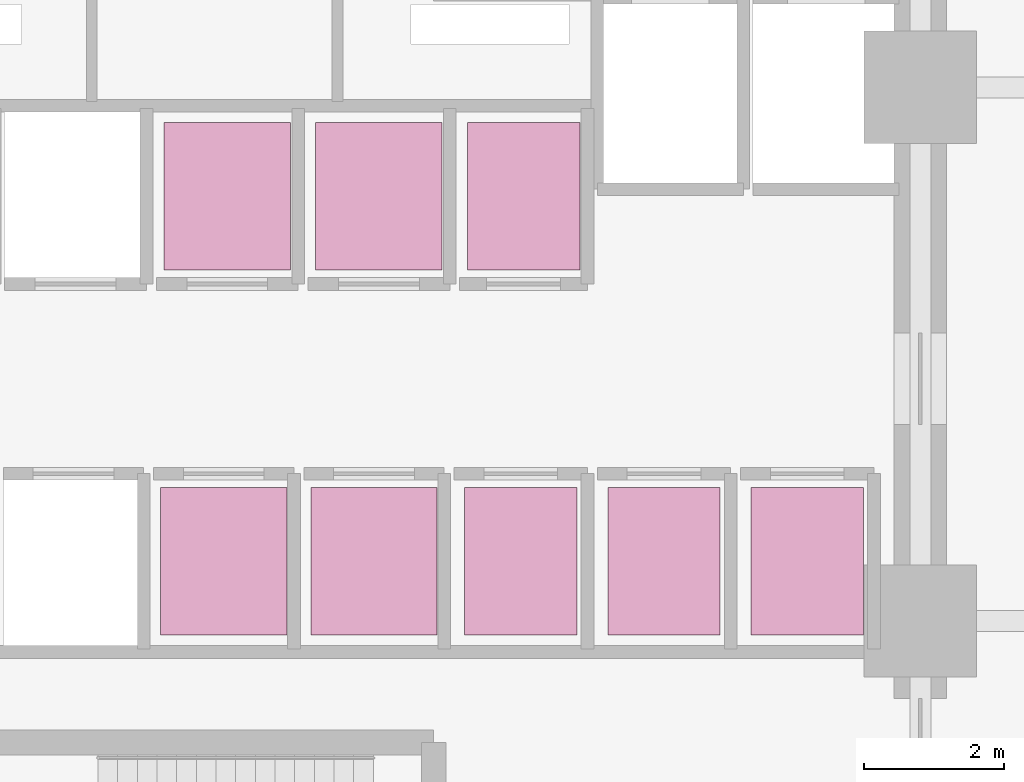
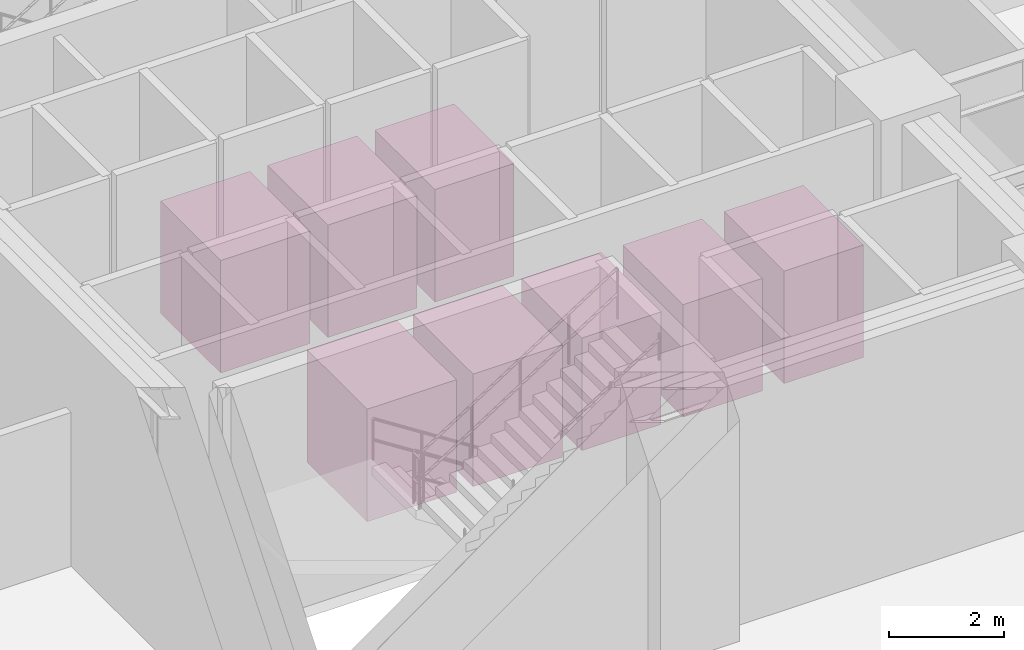
# One storey, part 16 of 16: 8 transport elements.
"""IFC4 building model written with IfcOpenShell, lengths in metres."""

from ifc_helpers import new_model, si_unit, direction, frame, origin, origin_2d, place, context, subcontext, project, spatial, rectangle, extrude, material, type_object, element, save


model = new_model("IFC4")

# Units and contexts
model_context = context("Model", 3, precision=1e-05, world=origin(), true_north=direction((0.0, 1.0)))
body_context = subcontext(model_context, "Body", "Model", "MODEL_VIEW")
ifc_project = project(units=[si_unit("LENGTHUNIT", "METRE"), si_unit("AREAUNIT", "SQUARE_METRE"), si_unit("VOLUMEUNIT", "CUBIC_METRE"), si_unit("PLANEANGLEUNIT", "RADIAN"), si_unit("MASSUNIT", "GRAM", prefix="KILO")], contexts=[model_context])

# Site, building, storey
site_placement = place(None, origin())
site = spatial("IfcSite", under=ifc_project, at=site_placement, CompositionType="ELEMENT")
building_placement = place(site_placement, origin())
building = spatial("IfcBuilding", under=site, at=building_placement, Name="An Khanh Terracotta Commons", CompositionType="ELEMENT")
storey_placement = place(building_placement, origin())
storey = spatial("IfcBuildingStorey", under=building, at=storey_placement, Name="L01", CompositionType="ELEMENT", Elevation=0.0)

# Transport elements
ifc_material_1 = material(Name="Brushed Stainless Steel and Warm Timber Car", Category="steel")
transport_element_type_1 = type_object("IfcTransportElementType", Name="LIFT-PAX-1800x2100", PredefinedType="ELEVATOR", material=ifc_material_1)
for number, where, z_axis, x_axis, name in (
    (1, (27.330078125, 26.25, 0.0), (0.0, 0.0, 1.0), (1.0, 0.0, 0.0), "Lift PL-M1 Elevator Car"),
    (2, (29.489990234375, 26.25, 0.0), (0.0, 0.0, 1.0), (1.0, 0.0, 0.0), "Lift PL-M2 Elevator Car"),
    (3, (27.280029296875, 21.050048828125, 0.0), (0.0, 0.0, 1.0), (1.0, 0.0, 0.0), "Lift PL-M3 Elevator Car"),
    (4, (29.419921875, 21.050048828125, 0.0), (0.0, 0.0, 1.0), (1.0, 0.0, 0.0), "Lift PL-M4 Elevator Car"),
):
    element("IfcTransportElement", number, at=place(storey_placement, frame(where, z_axis=z_axis, x_axis=x_axis)), inside=storey, type_object=transport_element_type_1, Name=name, PredefinedType="ELEVATOR", context=body_context, shape_type="SweptSolid", body=[
        extrude(rectangle(XDim=1.800048828125, YDim=2.10009765625, at=origin_2d()), origin(), (0.0, 0.0, 1.0), 2.39990234375),
    ])
ifc_material_2 = material(Name="Brushed Stainless Steel High-Speed Car", Category="steel")
transport_element_type_2 = type_object("IfcTransportElementType", Name="LIFT-PAXH-1600x2100", PredefinedType="ELEVATOR", material=ifc_material_2)
for number, where, z_axis, x_axis, name in (
    (5, (31.550048828125, 26.25, 0.0), (0.0, 0.0, 1.0), (1.0, 0.0, 0.0), "Lift PL-H1 Elevator Car"),
    (6, (31.510009765625, 21.050048828125, 0.0), (0.0, 0.0, 1.0), (1.0, 0.0, 0.0), "Lift PL-H2 Elevator Car"),
    (7, (33.550048828125, 21.050048828125, 0.0), (0.0, 0.0, 1.0), (1.0, 0.0, 0.0), "Lift PL-H3 Elevator Car"),
    (8, (35.590087890625, 21.050048828125, 0.0), (0.0, 0.0, 1.0), (1.0, 0.0, 0.0), "Lift PL-H4 Elevator Car"),
):
    element("IfcTransportElement", number, at=place(storey_placement, frame(where, z_axis=z_axis, x_axis=x_axis)), inside=storey, type_object=transport_element_type_2, Name=name, PredefinedType="ELEVATOR", context=body_context, shape_type="SweptSolid", body=[
        extrude(rectangle(XDim=1.60009765625, YDim=2.10009765625, at=origin_2d()), origin(), (0.0, 0.0, 1.0), 2.39990234375),
    ])

save(model, "model.ifc")
